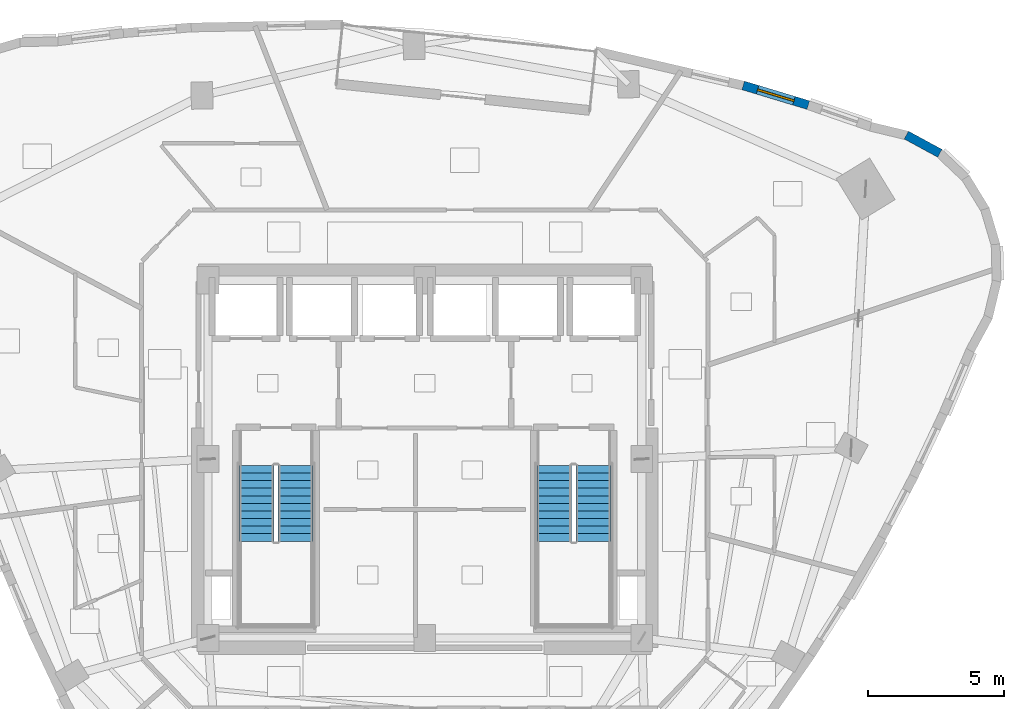
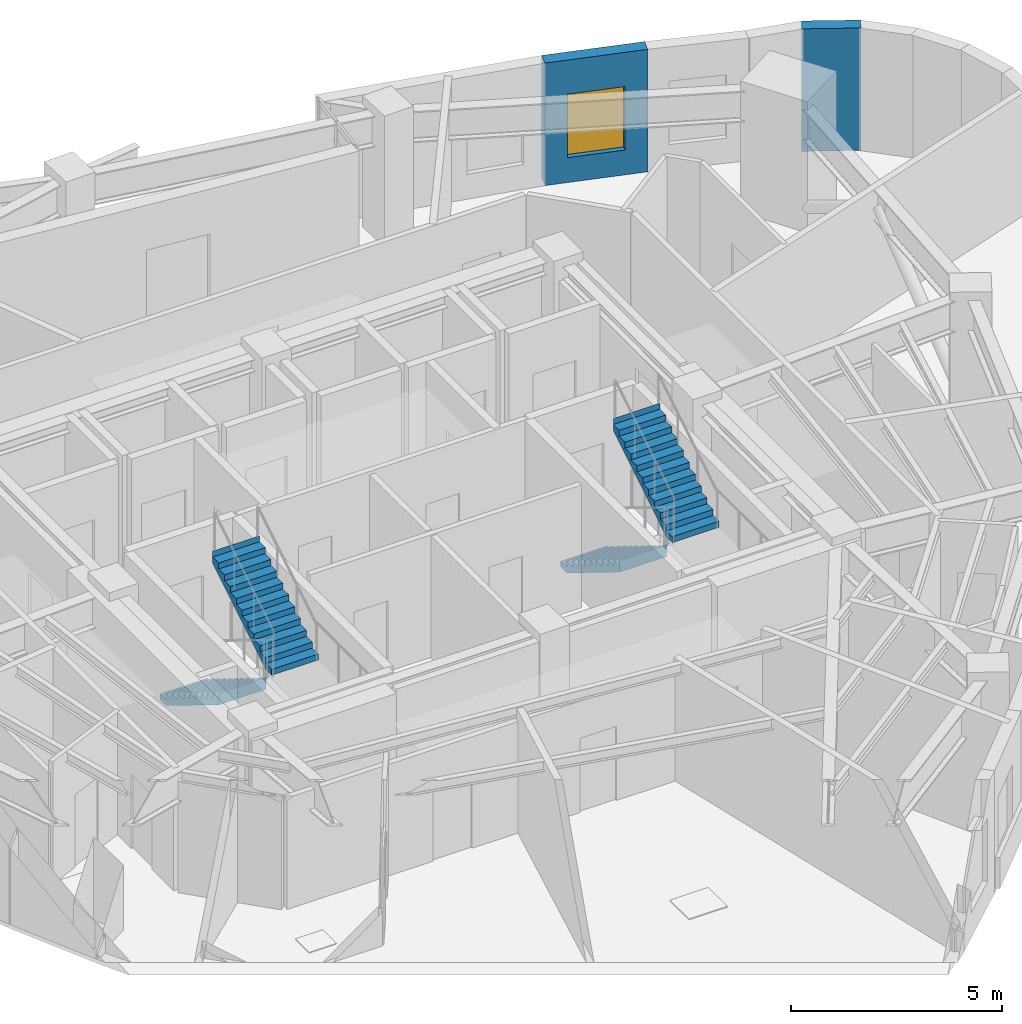
# One storey, part 13 of 16: 4 stair flights, 2 walls, 1 window, 1 opening, 2 elements without a shape of their own.
"""IFC4 building model written with IfcOpenShell, lengths in metres."""

from ifc_helpers import new_model, si_unit, direction, frame, frame_2d, origin, place, context, subcontext, project, spatial, polyline, rectangle, outline, extrude, material, layer, layer_set, type_object, element, fill, aggregate, save


model = new_model("IFC4")

# Units and contexts
model_context = context("Model", 3, precision=1e-05, world=origin(), true_north=direction((0.0, 1.0)))
body_context = subcontext(model_context, "Body", "Model", "MODEL_VIEW")
ifc_project = project(units=[si_unit("LENGTHUNIT", "METRE"), si_unit("AREAUNIT", "SQUARE_METRE"), si_unit("VOLUMEUNIT", "CUBIC_METRE"), si_unit("PLANEANGLEUNIT", "RADIAN"), si_unit("MASSUNIT", "GRAM", prefix="KILO")], contexts=[model_context])

# Site, building, storey
site_placement = place(None, origin())
site = spatial("IfcSite", under=ifc_project, at=site_placement, CompositionType="ELEMENT")
building_placement = place(site_placement, origin())
building = spatial("IfcBuilding", under=site, at=building_placement, Name="Ndelora Gate Hotel", CompositionType="ELEMENT")
storey_placement = place(building_placement, frame((0.0, 0.0, 182.75)))
storey = spatial("IfcBuildingStorey", under=building, at=storey_placement, Name="L45", CompositionType="ELEMENT", Elevation=182.75)

# Wall
ifc_material_1 = material(Name="Clay Brick Masonry", Category="masonry")
ifc_layer = layer(ifc_material_1, 0.330078125)
ifc_layer_set = layer_set([ifc_layer], Name="Clay Brick Masonry")
wall_type = type_object("IfcWallType", Name="WL-BRICK-330", PredefinedType="SOLIDWALL", material=ifc_layer_set)
wall_1_placement = place(storey_placement, frame((17.762939453125, 11.955078125, 0.0), z_axis=(0.0, 0.0, 1.0), x_axis=(0.8789012206, -0.47700382014, 0.0)))
element("IfcWall", 1, at=wall_1_placement, inside=storey, type_object=wall_type, Name="L45 Tower Brick Pier-and-Spandrel Wall TWR-47", PredefinedType="SOLIDWALL", context=body_context, shape_type="SweptSolid", body=[
    extrude(rectangle(XDim=1.407470703125, YDim=0.330078125, at=frame_2d((0.70361328125, 0.0))), origin(), (0.0, 0.0, 1.0), 3.550048828125),
])

# Wall, opening, window
wall_2_placement = place(storey_placement, frame((11.744384765625, 13.7880859375, 0.0), z_axis=(0.0, 0.0, 1.0), x_axis=(0.957175686943, -0.289507693031, 0.0)))
wall_2 = element("IfcWall", 2, at=wall_2_placement, inside=storey, type_object=wall_type, Name="L45 Tower Brick Pier-and-Spandrel Wall TWR-50", PredefinedType="SOLIDWALL", context=body_context, shape_type="SweptSolid", body=[
    extrude(rectangle(XDim=2.5087890625, YDim=0.330078125, at=frame_2d((1.25439453125, 0.0))), origin(), (0.0, 0.0, 1.0), 3.550048828125),
])
opening_placement = place(wall_2_placement, frame((0.554443359375, 0.0, 0.719970703125)))
opening = element("IfcOpeningElement", 3, at=opening_placement, cuts=wall_2, Name="Opening W02", PredefinedType="OPENING", context=body_context, shape_type="SweptSolid", body=[
    extrude(rectangle(XDim=1.39990234375, YDim=1.840087890625, at=frame_2d((0.699951171875, 0.919921875))), frame((0.0, 0.175048828125, 0.0), z_axis=(0.0, -1.0, 0.0), x_axis=(1.0, 0.0, 0.0)), (0.0, 0.0, 1.0), 0.35009765625),
])
ifc_material_2 = material(Name="Insulated Low-E Double Glazing in Bronze Aluminium Frame", Category="aluminium")
window_type = type_object("IfcWindowType", Name="WN-DEEP-1400", PartitioningType="SINGLE_PANEL", PredefinedType="WINDOW", material=ifc_material_2)
window_placement = place(opening_placement, origin())
window = element("IfcWindow", 4, at=window_placement, inside=storey, type_object=window_type, Name="L45 Deep-Set Brick-Pier Window W02", OverallHeight=1.840087890625, OverallWidth=1.39990234375, PartitioningType="SINGLE_PANEL", PredefinedType="WINDOW", context=body_context, shape_type="SweptSolid", body=[
    extrude(rectangle(XDim=1.39990234375, YDim=1.840087890625, at=frame_2d((0.699951171875, 0.919921875))), frame((0.0, 0.030029296875, 0.0), z_axis=(0.0, -1.0, 0.0), x_axis=(1.0, 0.0, 0.0)), (0.0, 0.0, 1.0), 0.06005859375),
])
fill(opening, window)

# Stair, stair flights
ifc_material_3 = material(Name="Precast concrete C40/50", Category="concrete")
stair_type = type_object("IfcStairType", Name="STR-DOG-CORE", PredefinedType="HALF_TURN_STAIR", material=ifc_material_3)
stair_1_placement = place(storey_placement, origin())
stair_1 = element("IfcStair", 5, at=stair_1_placement, inside=storey, type_object=stair_type, Name="L45 Protected Core Exit Stair ST4", PredefinedType="HALF_TURN_STAIR")
stair_flight_type = type_object("IfcStairFlightType", Name="STF-PRECAST", PredefinedType="STRAIGHT", material=ifc_material_3)
stair_flight_1_placement = place(storey_placement, frame((-6.2099609375, -0.22998046875, 0.0), z_axis=(0.0, 0.0, 1.0), x_axis=(0.0, -1.0, 0.0)))
stair_flight_1 = element("IfcStairFlight", 6, at=stair_flight_1_placement, type_object=stair_flight_type, Name="ST4 flight 1", NumberOfRisers=11, NumberOfTreads=10, PredefinedType="STRAIGHT", RiserHeight=0.172727273, TreadLength=0.28, context=body_context, shape_type="SweptSolid", body=[
    extrude(outline(polyline([(-0.00048828125, 0.0), (-0.00048828125, 0.172607421875), (0.0, 0.172607421875), (0.280029296875, 0.172607421875), (0.280029296875, 0.345458984375), (0.56005859375, 0.345458984375), (0.56005859375, 0.51806640625), (0.840087890625, 0.51806640625), (0.840087890625, 0.69091796875), (1.1201171875, 0.69091796875), (1.1201171875, 0.863525390625), (1.39990234375, 0.863525390625), (1.39990234375, 1.036376953125), (1.679931640625, 1.036376953125), (1.679931640625, 1.208984375), (1.9599609375, 1.208984375), (1.9599609375, 1.3818359375), (2.239990234375, 1.3818359375), (2.239990234375, 1.554443359375), (2.52001953125, 1.554443359375), (2.52001953125, 1.727294921875), (2.800048828125, 1.727294921875), (2.800048828125, 1.89990234375), (2.800537109375, 1.89990234375), (2.800537109375, 1.719970703125), (2.800048828125, 1.551025390625), (0.285400390625, 0.0), (-0.00048828125, 0.0)])), frame((0.0, 0.64013671875, 0.0), z_axis=(0.0, -1.0, 0.0), x_axis=(1.0, 0.0, 0.0)), (0.0, 0.0, 1.0), 1.280029296875),
])
stair_flight_2_placement = place(storey_placement, frame((-4.77001953125, -3.030029296875, 1.89990234375), z_axis=(0.0, 0.0, 1.0), x_axis=(0.0, 1.0, 0.0)))
stair_flight_2 = element("IfcStairFlight", 7, at=stair_flight_2_placement, type_object=stair_flight_type, Name="ST4 flight 2", NumberOfRisers=11, NumberOfTreads=10, PredefinedType="STRAIGHT", RiserHeight=0.172727273, TreadLength=0.28, context=body_context, shape_type="SweptSolid", body=[
    extrude(outline(polyline([(-0.00048828125, 0.0), (-0.00048828125, 0.172607421875), (0.0, 0.172607421875), (0.280029296875, 0.172607421875), (0.280029296875, 0.345458984375), (0.56005859375, 0.345458984375), (0.56005859375, 0.51806640625), (0.840087890625, 0.51806640625), (0.840087890625, 0.69091796875), (1.1201171875, 0.69091796875), (1.1201171875, 0.863525390625), (1.39990234375, 0.863525390625), (1.39990234375, 1.036376953125), (1.679931640625, 1.036376953125), (1.679931640625, 1.208984375), (1.9599609375, 1.208984375), (1.9599609375, 1.3818359375), (2.239990234375, 1.3818359375), (2.239990234375, 1.554443359375), (2.52001953125, 1.554443359375), (2.52001953125, 1.727294921875), (2.800048828125, 1.727294921875), (2.800048828125, 1.89990234375), (2.800537109375, 1.89990234375), (2.800537109375, 1.719970703125), (2.800048828125, 1.551025390625), (0.285400390625, 0.0), (-0.00048828125, 0.0)])), frame((0.0, 0.64013671875, 0.0), z_axis=(0.0, -1.0, 0.0), x_axis=(1.0, 0.0, 0.0)), (0.0, 0.0, 1.0), 1.280029296875),
])
aggregate(stair_1, [stair_flight_1, stair_flight_2])

stair_2_placement = place(storey_placement, origin())
stair_2 = element("IfcStair", 8, at=stair_2_placement, inside=storey, type_object=stair_type, Name="L45 Protected Core Exit Stair ST5", PredefinedType="HALF_TURN_STAIR")
stair_flight_3_placement = place(storey_placement, frame((4.77001953125, -0.22998046875, 0.0), z_axis=(0.0, 0.0, 1.0), x_axis=(0.0, -1.0, 0.0)))
stair_flight_3 = element("IfcStairFlight", 9, at=stair_flight_3_placement, type_object=stair_flight_type, Name="ST5 flight 1", NumberOfRisers=11, NumberOfTreads=10, PredefinedType="STRAIGHT", RiserHeight=0.172727273, TreadLength=0.28, context=body_context, shape_type="SweptSolid", body=[
    extrude(outline(polyline([(-0.00048828125, 0.0), (-0.00048828125, 0.172607421875), (0.0, 0.172607421875), (0.280029296875, 0.172607421875), (0.280029296875, 0.345458984375), (0.56005859375, 0.345458984375), (0.56005859375, 0.51806640625), (0.840087890625, 0.51806640625), (0.840087890625, 0.69091796875), (1.1201171875, 0.69091796875), (1.1201171875, 0.863525390625), (1.39990234375, 0.863525390625), (1.39990234375, 1.036376953125), (1.679931640625, 1.036376953125), (1.679931640625, 1.208984375), (1.9599609375, 1.208984375), (1.9599609375, 1.3818359375), (2.239990234375, 1.3818359375), (2.239990234375, 1.554443359375), (2.52001953125, 1.554443359375), (2.52001953125, 1.727294921875), (2.800048828125, 1.727294921875), (2.800048828125, 1.89990234375), (2.800537109375, 1.89990234375), (2.800537109375, 1.719970703125), (2.800048828125, 1.551025390625), (0.285400390625, 0.0), (-0.00048828125, 0.0)])), frame((0.0, 0.64013671875, 0.0), z_axis=(0.0, -1.0, 0.0), x_axis=(1.0, 0.0, 0.0)), (0.0, 0.0, 1.0), 1.280029296875),
])
stair_flight_4_placement = place(storey_placement, frame((6.2099609375, -3.030029296875, 1.89990234375), z_axis=(0.0, 0.0, 1.0), x_axis=(0.0, 1.0, 0.0)))
stair_flight_4 = element("IfcStairFlight", 10, at=stair_flight_4_placement, type_object=stair_flight_type, Name="ST5 flight 2", NumberOfRisers=11, NumberOfTreads=10, PredefinedType="STRAIGHT", RiserHeight=0.172727273, TreadLength=0.28, context=body_context, shape_type="SweptSolid", body=[
    extrude(outline(polyline([(-0.00048828125, 0.0), (-0.00048828125, 0.172607421875), (0.0, 0.172607421875), (0.280029296875, 0.172607421875), (0.280029296875, 0.345458984375), (0.56005859375, 0.345458984375), (0.56005859375, 0.51806640625), (0.840087890625, 0.51806640625), (0.840087890625, 0.69091796875), (1.1201171875, 0.69091796875), (1.1201171875, 0.863525390625), (1.39990234375, 0.863525390625), (1.39990234375, 1.036376953125), (1.679931640625, 1.036376953125), (1.679931640625, 1.208984375), (1.9599609375, 1.208984375), (1.9599609375, 1.3818359375), (2.239990234375, 1.3818359375), (2.239990234375, 1.554443359375), (2.52001953125, 1.554443359375), (2.52001953125, 1.727294921875), (2.800048828125, 1.727294921875), (2.800048828125, 1.89990234375), (2.800537109375, 1.89990234375), (2.800537109375, 1.719970703125), (2.800048828125, 1.551025390625), (0.285400390625, 0.0), (-0.00048828125, 0.0)])), frame((0.0, 0.64013671875, 0.0), z_axis=(0.0, -1.0, 0.0), x_axis=(1.0, 0.0, 0.0)), (0.0, 0.0, 1.0), 1.280029296875),
])
aggregate(stair_2, [stair_flight_3, stair_flight_4])

save(model, "model.ifc")
